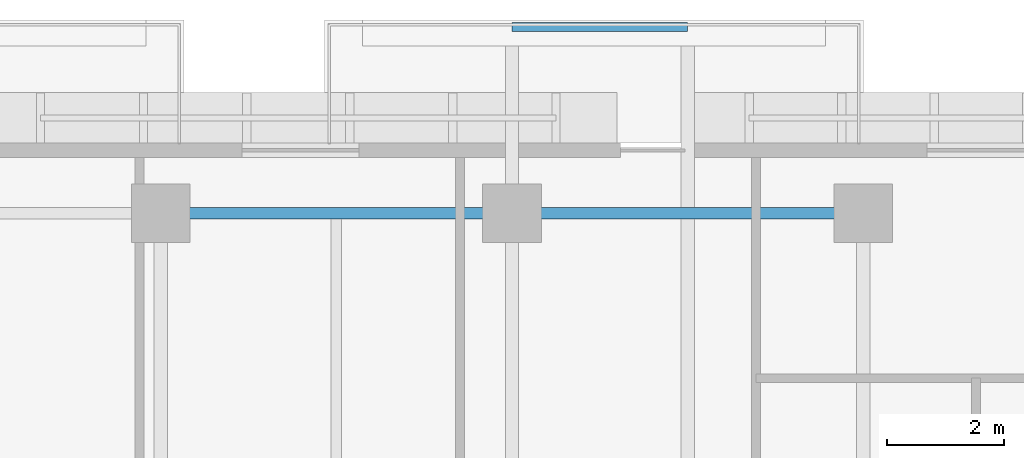
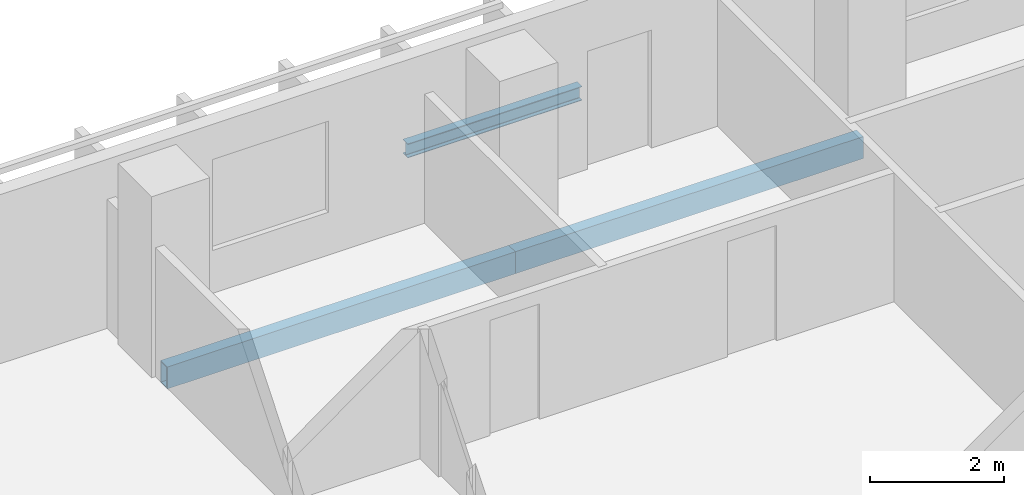
# One storey, part 18 of 33: 3 beams.
"""IFC4 building model written with IfcOpenShell, lengths in metres."""

import ifcopenshell
import ifcopenshell.guid

model = None  # the IFC model being written
_history = None  # IfcOwnerHistory: only IFC2X3 demands one
_inside = {}  # id of a spatial element -> (the spatial element, [elements in it])
_under = {}  # id of a project, library or spatial element -> (it, [spatial elements below it])
_declared = {}  # id of a project -> (the project, [libraries it declares])
_typed = {}  # id of a type object -> (the type object, [elements of that type])
_made_of = {}  # id of a material, layer set ... -> (it, [elements and type objects made of it])


def new_model(schema):
    """Start an empty IFC model of exactly this schema.

    Asked for "IFC4X3", IfcOpenShell would pick the latest addendum, in which some entities
    have other attributes; the version numbers below select the first issue.
    IFC2X3 requires an IfcOwnerHistory on every rooted entity: one is made here for all.
    """
    global model, _history
    if schema == "IFC4X3":
        model = ifcopenshell.file(schema_version=(4, 3, 0, 0))
    else:
        model = ifcopenshell.file(schema=schema)
    _inside.clear()
    _under.clear()
    _declared.clear()
    _typed.clear()
    _made_of.clear()
    _history = None
    if model.schema == "IFC2X3":
        org = make("IfcOrganization", Name="unknown")
        user = make(
            "IfcPersonAndOrganization",
            ThePerson=make("IfcPerson", FamilyName="unknown"),
            TheOrganization=org,
        )
        app = make(
            "IfcApplication",
            ApplicationDeveloper=org,
            Version="unknown",
            ApplicationFullName="unknown",
            ApplicationIdentifier="unknown",
        )
        _history = make(
            "IfcOwnerHistory",
            OwningUser=user,
            OwningApplication=app,
            ChangeAction="ADDED",
            CreationDate=0,
        )
    return model


def make(cls, **values):
    """One entity of the class cls with the attributes given. An attribute that is None is left unset."""
    return model.create_entity(
        cls, **{name: value for name, value in values.items() if value is not None}
    )


def rooted(cls, **values):
    """An entity with a GlobalId (a new one), such as an element, a storey or a relation."""
    return make(cls, GlobalId=ifcopenshell.guid.new(), OwnerHistory=_history, **values)


def si_unit(unit_type, name, prefix=None):
    """IfcSIUnit, for example si_unit("LENGTHUNIT", "METRE", prefix="MILLI")."""
    return make("IfcSIUnit", UnitType=unit_type, Prefix=prefix, Name=name)


def assignment(units):
    """IfcUnitAssignment: the units of a project."""
    return None if units is None else make("IfcUnitAssignment", Units=units)


def point(xyz):
    """IfcCartesianPoint."""
    return None if xyz is None else make("IfcCartesianPoint", Coordinates=xyz)


def direction(xyz):
    """IfcDirection."""
    return None if xyz is None else make("IfcDirection", DirectionRatios=xyz)


def frame(location, z_axis=None, x_axis=None):
    """IfcAxis2Placement3D, a coordinate frame: its origin and axes. An axis left out is left unset."""
    return make(
        "IfcAxis2Placement3D",
        Location=point(location),
        Axis=direction(z_axis),
        RefDirection=direction(x_axis),
    )


def frame_2d(location, x_axis=None):
    """IfcAxis2Placement2D, a coordinate frame in the plane: its origin and x axis."""
    return make(
        "IfcAxis2Placement2D", Location=point(location), RefDirection=direction(x_axis)
    )


def origin():
    """The frame at (0, 0, 0) with its axes left unset."""
    return frame((0.0, 0.0, 0.0))


def origin_2d():
    """The frame at (0, 0) in the plane with its x axis left unset."""
    return frame_2d((0.0, 0.0))


def place(relative_to, where):
    """IfcLocalPlacement: puts the frame where relative to a parent placement (None: the world)."""
    return make(
        "IfcLocalPlacement", PlacementRelTo=relative_to, RelativePlacement=where
    )


def context(
    kind, dimensions, precision=None, world=None, true_north=None, identifier=None
):
    """IfcGeometricRepresentationContext, for example the 3D "Model" context."""
    return make(
        "IfcGeometricRepresentationContext",
        ContextIdentifier=identifier,
        ContextType=kind,
        CoordinateSpaceDimension=dimensions,
        Precision=precision,
        WorldCoordinateSystem=world,
        TrueNorth=true_north,
    )


def subcontext(parent, identifier, kind, view, scale=None):
    """IfcGeometricRepresentationSubContext, for example "Body" below "Model"."""
    return make(
        "IfcGeometricRepresentationSubContext",
        ContextIdentifier=identifier,
        ContextType=kind,
        ParentContext=parent,
        TargetScale=scale,
        TargetView=view,
    )


def project(units=None, contexts=None):
    """IfcProject with its units and contexts."""
    return rooted(
        "IfcProject",
        Name="project",
        RepresentationContexts=contexts,
        UnitsInContext=assignment(units),
    )


def spatial(cls, under=None, at=None, **own):
    """A site, building, storey or space (cls), placed at a placement, below another one or the project."""
    s = rooted(cls, ObjectPlacement=at, **own)
    if under is not None:
        _under.setdefault(under.id(), (under, []))[1].append(s)
    return s


def profile(cls, at=None, kind="AREA", **sizes):
    """A parametric profile (cls). Its sizes go by their IFC names, for example OverallWidth=200.0."""
    return make(cls, ProfileType=kind, Position=at, **sizes)


def hollow_rectangle(**sizes):
    """IfcRectangleHollowProfileDef."""
    return profile("IfcRectangleHollowProfileDef", **sizes)


def i_section(**sizes):
    """IfcIShapeProfileDef."""
    return profile("IfcIShapeProfileDef", **sizes)


def extrude(swept, where, along, depth):
    """IfcExtrudedAreaSolid: the profile swept, set in the frame where, extruded along a direction by depth."""
    return make(
        "IfcExtrudedAreaSolid",
        SweptArea=swept,
        Position=where,
        ExtrudedDirection=direction(along),
        Depth=depth,
    )


def shape(context_of_items, identifier, shape_type, items):
    """IfcShapeRepresentation: the items that make up one representation, for example the "Body"."""
    return make(
        "IfcShapeRepresentation",
        ContextOfItems=context_of_items,
        RepresentationIdentifier=identifier,
        RepresentationType=shape_type,
        Items=items,
    )


def material(Name=None, Category=None):
    """IfcMaterial."""
    return make("IfcMaterial", Name=Name, Category=Category)


def material_profile(
    of_material, cross_section, Name=None, Category=None, Priority=None
):
    """IfcMaterialProfile: a cross section and its material."""
    return make(
        "IfcMaterialProfile",
        Name=Name,
        Material=of_material,
        Profile=cross_section,
        Priority=Priority,
        Category=Category,
    )


def profile_set(profiles, Name=None, composite=None):
    """IfcMaterialProfileSet."""
    return make(
        "IfcMaterialProfileSet",
        Name=Name,
        MaterialProfiles=profiles,
        CompositeProfile=composite,
    )


def made_of(thing, what):
    """Note that an element or type object is made of a material, layer set ...; save() writes the relation."""
    if what is not None:
        _made_of.setdefault(what.id(), (what, []))[1].append(thing)
    return thing


def type_object(cls, material=None, **own):
    """A type object (cls), such as IfcWallType, which elements share."""
    return made_of(rooted(cls, **own), material)


def element(
    cls,
    number,
    at=None,
    inside=None,
    cuts=None,
    type_object=None,
    material=None,
    context=None,
    identifier="Body",
    shape_type=None,
    held_by="IfcProductDefinitionShape",
    body=None,
    shapes=None,
    **own,
):
    """One element of the class cls, such as IfcWall. Its Tag is "e" and its number.

    at: its placement. inside: the storey or other place that contains it. cuts: it is an
    opening in that element (IfcRelVoidsElement). A single representation is given by context,
    identifier, shape_type and body (its items); several are given by shapes. held_by: the class
    of the entity that holds the representations. save() writes the other relations.
    """
    e = rooted(cls, Tag="e%d" % number, ObjectPlacement=at, **own)
    if body is not None:
        shapes = [shape(context, identifier, shape_type, body)]
    if shapes is not None:
        e.Representation = make(held_by, Representations=shapes)
    if inside is not None:
        _inside.setdefault(inside.id(), (inside, []))[1].append(e)
    if cuts is not None:
        rooted(
            "IfcRelVoidsElement", RelatingBuildingElement=cuts, RelatedOpeningElement=e
        )
    if type_object is not None:
        _typed.setdefault(type_object.id(), (type_object, []))[1].append(e)
    return made_of(e, material)


def aggregate(whole, parts):
    """IfcRelAggregates: a whole, such as a stair, and the parts it consists of."""
    return rooted("IfcRelAggregates", RelatingObject=whole, RelatedObjects=parts)


def save(model, path):
    """Write the relations noted so far, then the file.

    IfcRelAggregates (storeys below a building ...), IfcRelContainedInSpatialStructure (elements
    in a storey), IfcRelDefinesByType, IfcRelAssociatesMaterial and IfcRelDeclares: one each for
    every whole, place, type object, material and project.
    """
    for whole, parts in _under.values():
        aggregate(whole, parts)
    for where, things in _inside.values():
        rooted(
            "IfcRelContainedInSpatialStructure",
            RelatedElements=things,
            RelatingStructure=where,
        )
    for kind, things in _typed.values():
        rooted("IfcRelDefinesByType", RelatedObjects=things, RelatingType=kind)
    for what, things in _made_of.values():
        rooted("IfcRelAssociatesMaterial", RelatedObjects=things, RelatingMaterial=what)
    for by, libraries in _declared.values():
        rooted("IfcRelDeclares", RelatingContext=by, RelatedDefinitions=libraries)
    model.write(path)


model = new_model("IFC4")

# Units and contexts
model_context = context("Model", 3, precision=1e-05, world=origin(), true_north=direction((0.0, 1.0)))
body_context = subcontext(model_context, "Body", "Model", "MODEL_VIEW")
ifc_project = project(units=[si_unit("LENGTHUNIT", "METRE"), si_unit("AREAUNIT", "SQUARE_METRE"), si_unit("VOLUMEUNIT", "CUBIC_METRE"), si_unit("PLANEANGLEUNIT", "RADIAN"), si_unit("MASSUNIT", "GRAM", prefix="KILO")], contexts=[model_context])

# Site, building, storey
site_placement = place(None, origin())
site = spatial("IfcSite", under=ifc_project, at=site_placement, CompositionType="ELEMENT")
building_placement = place(site_placement, origin())
building = spatial("IfcBuilding", under=site, at=building_placement, Name="Tanjung Sevakor Pilgrim Tower", CompositionType="ELEMENT")
storey_placement = place(building_placement, frame((0.0, 0.0, 95.3701171875)))
storey = spatial("IfcBuildingStorey", under=building, at=storey_placement, Name="L26", CompositionType="ELEMENT", Elevation=95.3701171875)

# Beams
ifc_material_1 = material(Name="Steel S355J2", Category="steel")
ifc_material_profile_1 = material_profile(ifc_material_1, i_section(OverallWidth=0.146484375, OverallDepth=0.256103515625, WebThickness=0.00634765625, FlangeThickness=0.010986328125, FilletRadius=0.007568359375, at=origin_2d()))
ifc_profile_set_1 = profile_set([ifc_material_profile_1], Name="Steel S355J2")
beam_type_1 = type_object("IfcBeamType", Name="BM-B-J6-UB_254x146x37", PredefinedType="JOIST", material=ifc_profile_set_1)
beam_placement = place(storey_placement, frame((84.0, 59.580078125, -0.328125), z_axis=(1.0, 0.0, 0.0), x_axis=(0.0, 1.0, 0.0)))
element("IfcBeam", 1, at=beam_placement, inside=storey, type_object=beam_type_1, Name="L26 Balcony Rim Tie MAIN-N4", PredefinedType="JOIST", context=body_context, shape_type="SweptSolid", body=[
    extrude(i_section(OverallWidth=0.146484375, OverallDepth=0.256103515625, WebThickness=0.00634765625, FlangeThickness=0.010986328125, FilletRadius=0.007568359375, at=origin_2d()), origin(), (0.0, 0.0, 1.0), 3.0),
])
ifc_material_2 = material(Name="Steel S355J2", Category="steel")
ifc_material_profile_2 = material_profile(ifc_material_2, hollow_rectangle(XDim=0.199951171875, YDim=0.39990234375, WallThickness=0.01611328125, at=origin_2d()))
ifc_profile_set_2 = profile_set([ifc_material_profile_2], Name="Steel S355J2")
beam_type_2 = type_object("IfcBeamType", Name="BM-B-SP2-RHS_400x200x16", PredefinedType="SPANDREL", material=ifc_profile_set_2)
for number, where, z_axis, x_axis, name in (
    (2, (78.0, 56.39990234375, -0.420166015625), (1.0, 0.0, 0.0), (0.0, 1.0, 0.0), "L26 Spandrel MAIN N-16"),
    (3, (84.0, 56.39990234375, -0.420166015625), (1.0, 0.0, 0.0), (0.0, 1.0, 0.0), "L26 Spandrel MAIN N-18"),
):
    element("IfcBeam", number, at=place(storey_placement, frame(where, z_axis=z_axis, x_axis=x_axis)), inside=storey, type_object=beam_type_2, Name=name, PredefinedType="SPANDREL", context=body_context, shape_type="SweptSolid", body=[
        extrude(hollow_rectangle(XDim=0.199951171875, YDim=0.39990234375, WallThickness=0.01611328125, at=origin_2d()), origin(), (0.0, 0.0, 1.0), 6.0),
    ])

save(model, "model.ifc")
